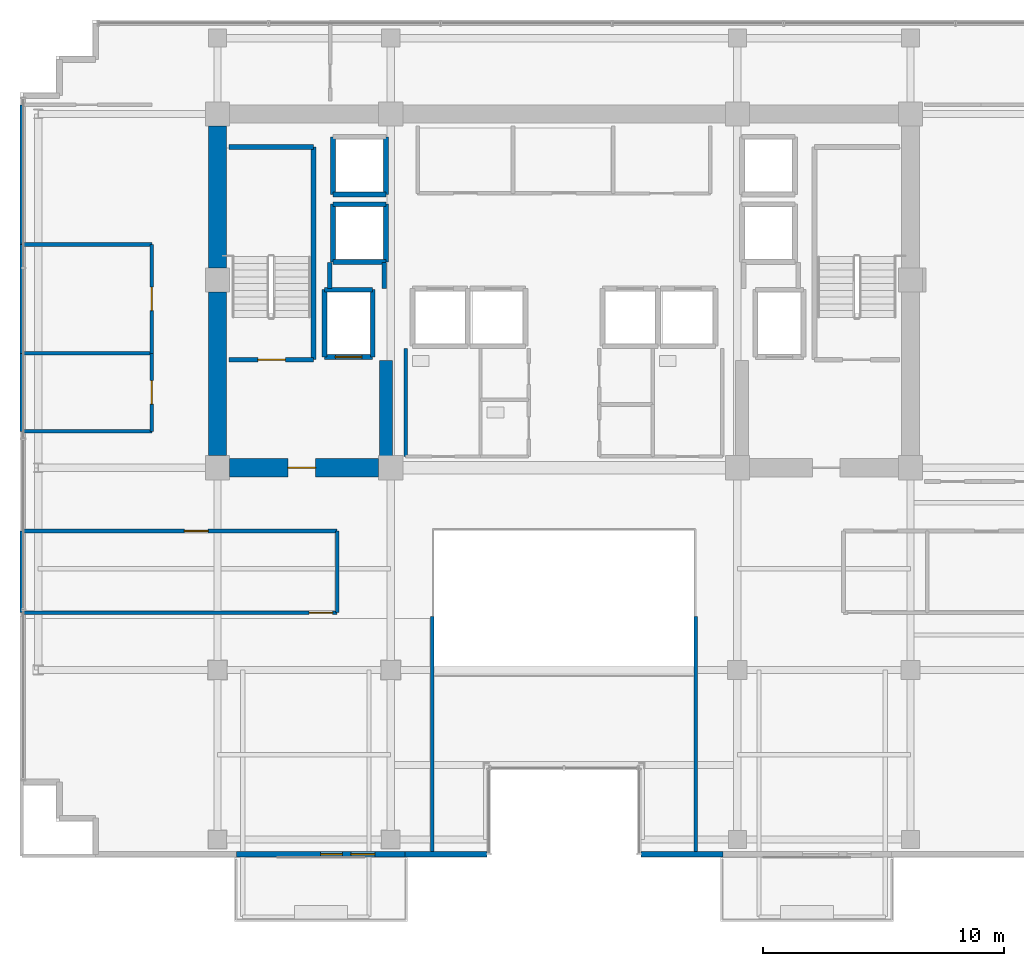
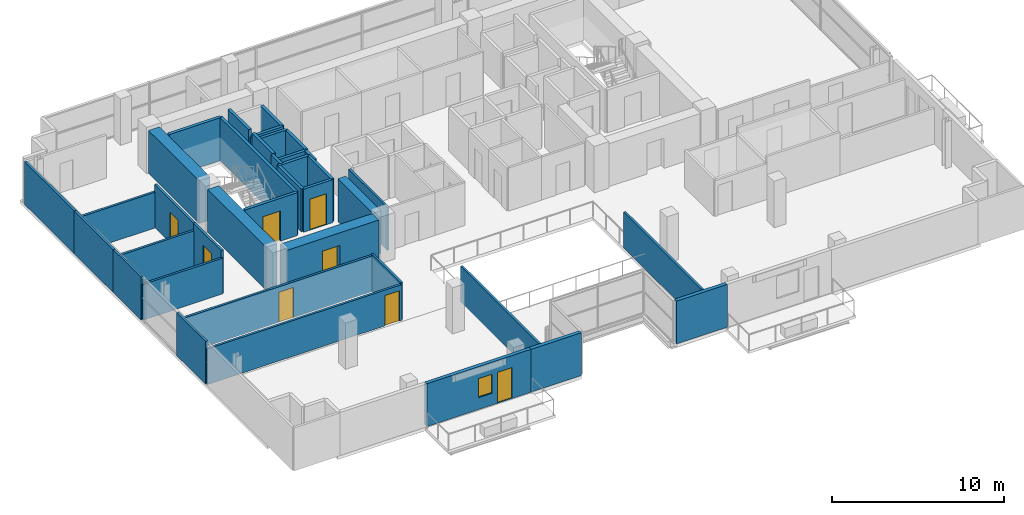
# One storey, part 15 of 22: 38 walls, 8 doors, 1 window, 9 openings.
"""IFC4 building model written with IfcOpenShell, lengths in metres."""

from ifc_helpers import new_model, si_unit, direction, frame, frame_2d, origin, place, context, subcontext, project, spatial, rectangle, extrude, source, transform, mapped, material, layer, layer_set, type_object, element, fill, save


model = new_model("IFC4")

# Units and contexts
model_context = context("Model", 3, precision=1e-05, world=origin(), true_north=direction((0.0, 1.0)))
body_context = subcontext(model_context, "Body", "Model", "MODEL_VIEW")
ifc_project = project(units=[si_unit("LENGTHUNIT", "METRE"), si_unit("AREAUNIT", "SQUARE_METRE"), si_unit("VOLUMEUNIT", "CUBIC_METRE"), si_unit("PLANEANGLEUNIT", "RADIAN"), si_unit("MASSUNIT", "GRAM", prefix="KILO")], contexts=[model_context])

# Site, building, storey
site_placement = place(None, origin())
site = spatial("IfcSite", under=ifc_project, at=site_placement, CompositionType="ELEMENT")
building_placement = place(site_placement, origin())
building = spatial("IfcBuilding", under=site, at=building_placement, Name="Zarnakvel Exchange Tower", CompositionType="ELEMENT")
storey_placement = place(building_placement, frame((0.0, 0.0, 195.699951171875)))
storey = spatial("IfcBuildingStorey", under=building, at=storey_placement, Name="L55", CompositionType="ELEMENT", Elevation=195.699951171875)

# Walls
ifc_material_1 = material(Name="Concrete C60/75", Category="concrete")
ifc_layer_1 = layer(ifc_material_1, 0.75)
ifc_layer_set_1 = layer_set([ifc_layer_1], Name="Concrete C60/75")
wall_type_1 = type_object("IfcWallType", Name="CW-C3", PredefinedType="SHEAR", material=ifc_layer_set_1)
wall_1_placement = place(storey_placement, frame((-14.39990234375, -0.699951171875, 0.0), z_axis=(0.0, 0.0, 1.0), x_axis=(0.0, 1.0, 0.0)))
element("IfcWall", 1, at=wall_1_placement, inside=storey, type_object=wall_type_1, Name="L55 Rear Core Shear Wall W1 (CW-C3)", PredefinedType="SHEAR", context=body_context, shape_type="SweptSolid", body=[
    extrude(rectangle(XDim=6.800048828125, YDim=0.75, at=frame_2d((3.39990234375, 0.0))), origin(), (0.0, 0.0, 1.0), 3.050048828125),
])
wall_2_placement = place(storey_placement, frame((-14.39990234375, 7.10009765625, 0.0), z_axis=(0.0, 0.0, 1.0), x_axis=(0.0, 1.0, 0.0)))
element("IfcWall", 2, at=wall_2_placement, inside=storey, type_object=wall_type_1, Name="L55 Rear Core Shear Wall W2 (CW-C3)", PredefinedType="SHEAR", context=body_context, shape_type="SweptSolid", body=[
    extrude(rectangle(XDim=5.89990234375, YDim=0.75, at=frame_2d((2.949951171875, 0.0))), origin(), (0.0, 0.0, 1.0), 3.050048828125),
])

# Wall, opening, door
wall_3_placement = place(storey_placement, frame((-7.699951171875, -1.199951171875, 0.0), z_axis=(0.0, 0.0, 1.0), x_axis=(-1.0, 0.0, 0.0)))
wall_3 = element("IfcWall", 3, at=wall_3_placement, inside=storey, type_object=wall_type_1, Name="L55 Rear Core Shear Wall SW (CW-C3)", PredefinedType="SHEAR", context=body_context, shape_type="SweptSolid", body=[
    extrude(rectangle(XDim=6.199951171875, YDim=0.75, at=frame_2d((3.10009765625, 0.0))), origin(), (0.0, 0.0, 1.0), 3.050048828125),
])
opening_1_placement = place(wall_3_placement, frame((2.625, 0.0, 0.0)))
opening_1 = element("IfcOpeningElement", 4, at=opening_1_placement, cuts=wall_3, Name="Opening D-L55-03", PredefinedType="OPENING", context=body_context, shape_type="SweptSolid", body=[
    extrude(rectangle(XDim=1.14990234375, YDim=2.14990234375, at=frame_2d((0.574951171875, 1.074951171875))), frame((0.0, 0.385009765625, 0.0), z_axis=(0.0, -1.0, 0.0), x_axis=(1.0, 0.0, 0.0)), (0.0, 0.0, 1.0), 0.77001953125),
])
ifc_material_2 = material(Name="Painted Galvanised Steel S355", Category="steel")
door_type_1 = type_object("IfcDoorType", Name="DT-04", OperationType="NOTDEFINED", PredefinedType="DOOR", material=ifc_material_2)
shared_shape_1 = source(origin(), body_context, "Body", "SweptSolid", [
    extrude(rectangle(XDim=1.14990234375, YDim=2.14990234375, at=frame_2d((0.574951171875, 1.074951171875))), frame((0.0, 0.02490234375, 0.0), z_axis=(0.0, -1.0, 0.0), x_axis=(1.0, 0.0, 0.0)), (0.0, 0.0, 1.0), 0.050048828125),
])
door_1_placement = place(opening_1_placement, origin())
door_1 = element("IfcDoor", 5, at=door_1_placement, inside=storey, type_object=door_type_1, Name="L55 Firefighting Lobby West Door D-L55-03", OperationType="SINGLE_SWING_RIGHT", OverallHeight=2.14990234375, OverallWidth=1.14990234375, PredefinedType="DOOR", context=body_context, shape_type="MappedRepresentation", body=[
    mapped(shared_shape_1, transform((0.0, 0.0, 0.0), x_axis=(1.0, 0.0, 0.0), y_axis=(0.0, 1.0, 0.0), z_axis=(0.0, 0.0, 1.0), scale=1.0)),
])
fill(opening_1, door_1)

# Wall
ifc_layer_2 = layer(ifc_material_1, 0.550048828125)
ifc_layer_set_2 = layer_set([ifc_layer_2], Name="Concrete C60/75")
wall_type_2 = type_object("IfcWallType", Name="CW-C4", PredefinedType="SHEAR", material=ifc_layer_set_2)
wall_4_placement = place(storey_placement, frame((-7.39990234375, -0.824951171875, 0.0), z_axis=(0.0, 0.0, 1.0), x_axis=(0.0, 1.0, 0.0)))
element("IfcWall", 6, at=wall_4_placement, inside=storey, type_object=wall_type_2, Name="L55 Rear Core Shear Wall IW (CW-C4)", PredefinedType="SHEAR", context=body_context, shape_type="SweptSolid", body=[
    extrude(rectangle(XDim=4.074951171875, YDim=0.550048828125, at=frame_2d((2.03759765625, 0.0))), origin(), (0.0, 0.0, 1.0), 3.050048828125),
])

# Wall, openings, door, window
ifc_material_3 = material(Name="Precast concrete C40/50", Category="concrete")
ifc_layer_3 = layer(ifc_material_3, 0.239990234375)
ifc_layer_set_3 = layer_set([ifc_layer_3], Name="Precast concrete C40/50")
wall_type_3 = type_object("IfcWallType", Name="EW-02", PredefinedType="SOLIDWALL", material=ifc_layer_set_3)
wall_5_placement = place(storey_placement, frame((-6.60009765625, -17.260009765625, 0.0), z_axis=(0.0, 0.0, 1.0), x_axis=(-1.0, 0.0, 0.0)))
wall_5 = element("IfcWall", 7, at=wall_5_placement, inside=storey, type_object=wall_type_3, Name="L55 Exterior Precast Spandrel Wall EW-BAL-L55-SW (EW-02)", PredefinedType="SOLIDWALL", context=body_context, shape_type="SweptSolid", body=[
    extrude(rectangle(XDim=7.0, YDim=0.239990234375, at=frame_2d((3.5, 0.0))), origin(), (0.0, 0.0, 1.0), 3.050048828125),
])
opening_2_placement = place(wall_5_placement, frame((1.260009765625, 0.0, 0.0)))
opening_2 = element("IfcOpeningElement", 8, at=opening_2_placement, cuts=wall_5, Name="Opening BD-L55-01", PredefinedType="OPENING", context=body_context, shape_type="SweptSolid", body=[
    extrude(rectangle(XDim=1.0, YDim=2.199951171875, at=frame_2d((0.5, 1.10009765625))), frame((0.0, 0.1298828125, 0.0), z_axis=(0.0, -1.0, 0.0), x_axis=(1.0, 0.0, 0.0)), (0.0, 0.0, 1.0), 0.260009765625),
])
opening_3_placement = place(wall_5_placement, frame((2.610107421875, 0.0, 0.85009765625)))
opening_3 = element("IfcOpeningElement", 9, at=opening_3_placement, cuts=wall_5, Name="Opening WN-06", PredefinedType="OPENING", context=body_context, shape_type="SweptSolid", body=[
    extrude(rectangle(XDim=0.89990234375, YDim=1.35009765625, at=frame_2d((0.449951171875, 0.675048828125))), frame((0.0, 0.1298828125, 0.0), z_axis=(0.0, -1.0, 0.0), x_axis=(1.0, 0.0, 0.0)), (0.0, 0.0, 1.0), 0.260009765625),
])
ifc_material_4 = material(Name="Architectural Bronze Anodised Aluminium", Category="aluminium")
door_type_2 = type_object("IfcDoorType", Name="DT-09", OperationType="NOTDEFINED", PredefinedType="DOOR", material=ifc_material_4)
shared_shape_2 = source(origin(), body_context, "Body", "SweptSolid", [
    extrude(rectangle(XDim=1.0, YDim=2.199951171875, at=frame_2d((0.5, 1.10009765625))), frame((0.0, 0.02490234375, 0.0), z_axis=(0.0, -1.0, 0.0), x_axis=(1.0, 0.0, 0.0)), (0.0, 0.0, 1.0), 0.050048828125),
])
door_2_placement = place(opening_2_placement, origin())
door_2 = element("IfcDoor", 10, at=door_2_placement, inside=storey, type_object=door_type_2, Name="L55 Planted Loggia Balcony Door BD-L55-01", OperationType="SINGLE_SWING_LEFT", OverallHeight=2.199951171875, OverallWidth=1.0, PredefinedType="DOOR", context=body_context, shape_type="MappedRepresentation", body=[
    mapped(shared_shape_2, transform((0.0, 0.0, 0.0), x_axis=(1.0, 0.0, 0.0), y_axis=(0.0, 1.0, 0.0), z_axis=(0.0, 0.0, 1.0), scale=1.0)),
])
fill(opening_2, door_2)
ifc_material_5 = material(Name="Double Low-E Laminated Vision Glass", Category="glass")
window_type = type_object("IfcWindowType", Name="WN-06", PartitioningType="SINGLE_PANEL", PredefinedType="WINDOW", material=ifc_material_5)
shared_shape_3 = source(origin(), body_context, "Body", "SweptSolid", [
    extrude(rectangle(XDim=0.89990234375, YDim=1.35009765625, at=frame_2d((0.449951171875, 0.675048828125))), frame((0.0, 0.030029296875, 0.0), z_axis=(0.0, -1.0, 0.0), x_axis=(1.0, 0.0, 0.0)), (0.0, 0.0, 1.0), 0.06005859375),
])
window_placement = place(opening_3_placement, origin())
window = element("IfcWindow", 11, at=window_placement, inside=storey, type_object=window_type, Name="L55 Loggia Daylight Window (WN-06)", OverallHeight=1.35009765625, OverallWidth=0.89990234375, PartitioningType="SINGLE_PANEL", PredefinedType="WINDOW", context=body_context, shape_type="MappedRepresentation", body=[
    mapped(shared_shape_3, transform((0.0, 0.0, 0.0), x_axis=(1.0, 0.0, 0.0), y_axis=(0.0, 1.0, 0.0), z_axis=(0.0, 0.0, 1.0), scale=1.0)),
])
fill(opening_3, window)

# Walls
for number, where, z_axis, x_axis, name in (
    (12, (3.199951171875, -17.260009765625, 0.0), (0.0, 0.0, 1.0), (1.0, 0.0, 0.0), "L55 Exterior Precast Spandrel Wall EWC-L55-16 (EW-02)"),
    (13, (-6.60009765625, -17.260009765625, 0.0), (0.0, 0.0, 1.0), (1.0, 0.0, 0.0), "L55 Exterior Precast Spandrel Wall EWC-L55-21 (EW-02)"),
):
    element("IfcWall", number, at=place(storey_placement, frame(where, z_axis=z_axis, x_axis=x_axis)), inside=storey, type_object=wall_type_3, Name=name, PredefinedType="SOLIDWALL", context=body_context, shape_type="SweptSolid", body=[
        extrude(rectangle(XDim=3.400146484375, YDim=0.239990234375, at=frame_2d((1.7001953125, 0.0))), origin(), (0.0, 0.0, 1.0), 3.050048828125),
    ])

# Wall, opening, door
ifc_material_6 = material(Name="Fire-Rated Gypsum Stud Partition", Category="gypsum")
ifc_layer_4 = layer(ifc_material_6, 0.14990234375)
ifc_layer_set_4 = layer_set([ifc_layer_4], Name="Fire-Rated Gypsum Stud Partition")
wall_type_4 = type_object("IfcWallType", Name="PT-01", PredefinedType="PARTITIONING", material=ifc_layer_set_4)
wall_6_placement = place(storey_placement, frame((-9.429931640625, -7.219970703125, 0.0), z_axis=(0.0, 0.0, 1.0), x_axis=(-1.0, 0.0, 0.0)))
wall_6 = element("IfcWall", 14, at=wall_6_placement, inside=storey, type_object=wall_type_4, Name="L55 Partition Wall PWALL-L55-033 (PT-01)", PredefinedType="PARTITIONING", context=body_context, shape_type="SweptSolid", body=[
    extrude(rectangle(XDim=13.10009765625, YDim=0.14990234375, at=frame_2d((6.550048828125, 0.0))), origin(), (0.0, 0.0, 1.0), 2.5400390625),
])
opening_4_placement = place(wall_6_placement, frame((0.179931640625, 0.0, 0.0)))
opening_4 = element("IfcOpeningElement", 15, at=opening_4_placement, cuts=wall_6, Name="Opening D-L55-15", PredefinedType="OPENING", context=body_context, shape_type="SweptSolid", body=[
    extrude(rectangle(XDim=0.97998046875, YDim=2.14990234375, at=frame_2d((0.489990234375, 1.074951171875))), frame((0.0, 0.0849609375, 0.0), z_axis=(0.0, -1.0, 0.0), x_axis=(1.0, 0.0, 0.0)), (0.0, 0.0, 1.0), 0.169921875),
])
ifc_material_7 = material(Name="Timber Acoustic Veneer", Category="wood")
door_type_3 = type_object("IfcDoorType", Name="DT-05", OperationType="NOTDEFINED", PredefinedType="DOOR", material=ifc_material_7)
shared_shape_4 = source(origin(), body_context, "Body", "SweptSolid", [
    extrude(rectangle(XDim=0.97998046875, YDim=2.14990234375, at=frame_2d((0.489990234375, 1.074951171875))), frame((0.0, 0.02490234375, 0.0), z_axis=(0.0, -1.0, 0.0), x_axis=(1.0, 0.0, 0.0)), (0.0, 0.0, 1.0), 0.050048828125),
])
door_3_placement = place(opening_4_placement, origin())
door_3 = element("IfcDoor", 16, at=door_3_placement, inside=storey, type_object=door_type_3, Name="L55 Sovereign Wealth Office Door D-L55-15", OperationType="SINGLE_SWING_RIGHT", OverallHeight=2.14990234375, OverallWidth=0.97998046875, PredefinedType="DOOR", context=body_context, shape_type="MappedRepresentation", body=[
    mapped(shared_shape_4, transform((0.0, 0.0, 0.0), x_axis=(1.0, 0.0, 0.0), y_axis=(0.0, 1.0, 0.0), z_axis=(0.0, 0.0, 1.0), scale=1.0)),
])
fill(opening_4, door_3)

wall_7_placement = place(storey_placement, frame((-22.530029296875, -3.830078125, 0.0), z_axis=(0.0, 0.0, 1.0), x_axis=(1.0, 0.0, 0.0)))
wall_7 = element("IfcWall", 17, at=wall_7_placement, inside=storey, type_object=wall_type_4, Name="L55 Partition Wall PWALL-L55-034 (PT-01)", PredefinedType="PARTITIONING", context=body_context, shape_type="SweptSolid", body=[
    extrude(rectangle(XDim=13.10009765625, YDim=0.14990234375, at=frame_2d((6.550048828125, 0.0))), origin(), (0.0, 0.0, 1.0), 2.5400390625),
])
opening_5_placement = place(wall_7_placement, frame((6.760009765625, 0.0, 0.0)))
opening_5 = element("IfcOpeningElement", 18, at=opening_5_placement, cuts=wall_7, Name="Opening D-L55-14", PredefinedType="OPENING", context=body_context, shape_type="SweptSolid", body=[
    extrude(rectangle(XDim=0.97998046875, YDim=2.14990234375, at=frame_2d((0.489990234375, 1.074951171875))), frame((0.0, 0.0849609375, 0.0), z_axis=(0.0, -1.0, 0.0), x_axis=(1.0, 0.0, 0.0)), (0.0, 0.0, 1.0), 0.169921875),
])
door_4_placement = place(opening_5_placement, origin())
door_4 = element("IfcDoor", 19, at=door_4_placement, inside=storey, type_object=door_type_3, Name="L55 Sovereign Wealth Office Door D-L55-14", OperationType="SINGLE_SWING_LEFT", OverallHeight=2.14990234375, OverallWidth=0.97998046875, PredefinedType="DOOR", context=body_context, shape_type="MappedRepresentation", body=[
    mapped(shared_shape_4, transform((0.0, 0.0, 0.0), x_axis=(1.0, 0.0, 0.0), y_axis=(0.0, 1.0, 0.0), z_axis=(0.0, 0.0, 1.0), scale=1.0)),
])
fill(opening_5, door_4)

# Walls
wall_8_placement = place(storey_placement, frame((-22.530029296875, -7.219970703125, 0.0), z_axis=(0.0, 0.0, 1.0), x_axis=(0.0, 1.0, 0.0)))
element("IfcWall", 20, at=wall_8_placement, inside=storey, type_object=wall_type_4, Name="L55 Partition Wall PWALL-L55-035 (PT-01)", PredefinedType="PARTITIONING", context=body_context, shape_type="SweptSolid", body=[
    extrude(rectangle(XDim=3.389892578125, YDim=0.14990234375, at=frame_2d((1.69482421875, 0.0))), origin(), (0.0, 0.0, 1.0), 3.050048828125),
])
wall_9_placement = place(storey_placement, frame((-9.429931640625, -3.830078125, 0.0), z_axis=(0.0, 0.0, 1.0), x_axis=(0.0, -1.0, 0.0)))
element("IfcWall", 21, at=wall_9_placement, inside=storey, type_object=wall_type_4, Name="L55 Partition Wall PWALL-L55-036 (PT-01)", PredefinedType="PARTITIONING", context=body_context, shape_type="SweptSolid", body=[
    extrude(rectangle(XDim=3.389892578125, YDim=0.14990234375, at=frame_2d((1.69482421875, 0.0))), origin(), (0.0, 0.0, 1.0), 2.64013671875),
])
for number, where, z_axis, x_axis, name in (
    (22, (-5.47998046875, -7.3798828125, 0.0), (0.0, 0.0, 1.0), (0.0, -1.0, 0.0), "L55 Partition Wall PWALL-L55-039 (PT-01)"),
    (23, (5.47998046875, -17.330078125, 0.0), (0.0, 0.0, 1.0), (0.0, 1.0, 0.0), "L55 Partition Wall PWALL-L55-051 (PT-01)"),
):
    element("IfcWall", number, at=place(storey_placement, frame(where, z_axis=z_axis, x_axis=x_axis)), inside=storey, type_object=wall_type_4, Name=name, PredefinedType="PARTITIONING", context=body_context, shape_type="SweptSolid", body=[
        extrude(rectangle(XDim=9.9501953125, YDim=0.14990234375, at=frame_2d((4.97509765625, 0.0))), origin(), (0.0, 0.0, 1.0), 2.5400390625),
    ])
for number, where, z_axis, x_axis, name in (
    (24, (-17.1298828125, 0.314453125, 0.0), (0.0, 0.0, 1.0), (-1.0, 0.0, 0.0), "L55 Partition Wall PWALL-L55-053 (PT-01)"),
    (25, (-22.530029296875, 3.553466796875, 0.0), (0.0, 0.0, 1.0), (1.0, 0.0, 0.0), "L55 Partition Wall PWALL-L55-054 (PT-01)"),
):
    element("IfcWall", number, at=place(storey_placement, frame(where, z_axis=z_axis, x_axis=x_axis)), inside=storey, type_object=wall_type_4, Name=name, PredefinedType="PARTITIONING", context=body_context, shape_type="SweptSolid", body=[
        extrude(rectangle(XDim=5.400146484375, YDim=0.14990234375, at=frame_2d((2.7001953125, 0.0))), origin(), (0.0, 0.0, 1.0), 2.5400390625),
    ])
wall_10_placement = place(storey_placement, frame((-22.530029296875, 0.314453125, 0.0), z_axis=(0.0, 0.0, 1.0), x_axis=(0.0, 1.0, 0.0)))
element("IfcWall", 26, at=wall_10_placement, inside=storey, type_object=wall_type_4, Name="L55 Partition Wall PWALL-L55-055 (PT-01)", PredefinedType="PARTITIONING", context=body_context, shape_type="SweptSolid", body=[
    extrude(rectangle(XDim=3.239013671875, YDim=0.14990234375, at=frame_2d((1.61962890625, 0.0))), origin(), (0.0, 0.0, 1.0), 3.050048828125),
])

# Wall, opening, door
wall_11_placement = place(storey_placement, frame((-17.1298828125, 3.553466796875, 0.0), z_axis=(0.0, 0.0, 1.0), x_axis=(0.0, -1.0, 0.0)))
wall_11 = element("IfcWall", 27, at=wall_11_placement, inside=storey, type_object=wall_type_4, Name="L55 Partition Wall PWALL-L55-056 (PT-01)", PredefinedType="PARTITIONING", context=body_context, shape_type="SweptSolid", body=[
    extrude(rectangle(XDim=3.239013671875, YDim=0.14990234375, at=frame_2d((1.61962890625, 0.0))), origin(), (0.0, 0.0, 1.0), 3.050048828125),
])
opening_6_placement = place(wall_11_placement, frame((1.12939453125, 0.0, 0.0)))
opening_6 = element("IfcOpeningElement", 28, at=opening_6_placement, cuts=wall_11, Name="Opening D-L55-20", PredefinedType="OPENING", context=body_context, shape_type="SweptSolid", body=[
    extrude(rectangle(XDim=0.97998046875, YDim=2.14990234375, at=frame_2d((0.489990234375, 1.074951171875))), frame((0.0, 0.0849609375, 0.0), z_axis=(0.0, -1.0, 0.0), x_axis=(1.0, 0.0, 0.0)), (0.0, 0.0, 1.0), 0.169921875),
])
door_5_placement = place(opening_6_placement, origin())
door_5 = element("IfcDoor", 29, at=door_5_placement, inside=storey, type_object=door_type_3, Name="L55 Executive Pantry Door D-L55-20", OperationType="SINGLE_SWING_LEFT", OverallHeight=2.14990234375, OverallWidth=0.97998046875, PredefinedType="DOOR", context=body_context, shape_type="MappedRepresentation", body=[
    mapped(shared_shape_4, transform((0.0, 0.0, 0.0), x_axis=(1.0, 0.0, 0.0), y_axis=(0.0, 1.0, 0.0), z_axis=(0.0, 0.0, 1.0), scale=1.0)),
])
fill(opening_6, door_5)

# Walls
wall_12_placement = place(storey_placement, frame((-22.530029296875, 8.0751953125, 0.0), z_axis=(0.0, 0.0, 1.0), x_axis=(1.0, 0.0, 0.0)))
element("IfcWall", 30, at=wall_12_placement, inside=storey, type_object=wall_type_4, Name="L55 Partition Wall PWALL-L55-057 (PT-01)", PredefinedType="PARTITIONING", context=body_context, shape_type="SweptSolid", body=[
    extrude(rectangle(XDim=5.400146484375, YDim=0.14990234375, at=frame_2d((2.7001953125, 0.0))), origin(), (0.0, 0.0, 1.0), 2.5400390625),
])
wall_13_placement = place(storey_placement, frame((-22.530029296875, 3.553466796875, 0.0), z_axis=(0.0, 0.0, 1.0), x_axis=(0.0, 1.0, 0.0)))
element("IfcWall", 31, at=wall_13_placement, inside=storey, type_object=wall_type_4, Name="L55 Partition Wall PWALL-L55-058 (PT-01)", PredefinedType="PARTITIONING", context=body_context, shape_type="SweptSolid", body=[
    extrude(rectangle(XDim=4.521728515625, YDim=0.14990234375, at=frame_2d((2.2607421875, 0.0))), origin(), (0.0, 0.0, 1.0), 3.050048828125),
])

# Wall, opening, door
wall_14_placement = place(storey_placement, frame((-17.1298828125, 8.0751953125, 0.0), z_axis=(0.0, 0.0, 1.0), x_axis=(0.0, -1.0, 0.0)))
wall_14 = element("IfcWall", 32, at=wall_14_placement, inside=storey, type_object=wall_type_4, Name="L55 Partition Wall PWALL-L55-059 (PT-01)", PredefinedType="PARTITIONING", context=body_context, shape_type="SweptSolid", body=[
    extrude(rectangle(XDim=4.521728515625, YDim=0.14990234375, at=frame_2d((2.2607421875, 0.0))), origin(), (0.0, 0.0, 1.0), 3.050048828125),
])
opening_7_placement = place(wall_14_placement, frame((1.771240234375, 0.0, 0.0)))
opening_7 = element("IfcOpeningElement", 33, at=opening_7_placement, cuts=wall_14, Name="Opening D-L55-21", PredefinedType="OPENING", context=body_context, shape_type="SweptSolid", body=[
    extrude(rectangle(XDim=0.97998046875, YDim=2.14990234375, at=frame_2d((0.489990234375, 1.074951171875))), frame((0.0, 0.0849609375, 0.0), z_axis=(0.0, -1.0, 0.0), x_axis=(1.0, 0.0, 0.0)), (0.0, 0.0, 1.0), 0.169921875),
])
door_6_placement = place(opening_7_placement, origin())
door_6 = element("IfcDoor", 34, at=door_6_placement, inside=storey, type_object=door_type_3, Name="L55 Legal Records Office Door D-L55-21", OperationType="SINGLE_SWING_RIGHT", OverallHeight=2.14990234375, OverallWidth=0.97998046875, PredefinedType="DOOR", context=body_context, shape_type="MappedRepresentation", body=[
    mapped(shared_shape_4, transform((0.0, 0.0, 0.0), x_axis=(1.0, 0.0, 0.0), y_axis=(0.0, 1.0, 0.0), z_axis=(0.0, 0.0, 1.0), scale=1.0)),
])
fill(opening_7, door_6)

# Walls
wall_15_placement = place(storey_placement, frame((-22.530029296875, 8.0751953125, 0.0), z_axis=(0.0, 0.0, 1.0), x_axis=(0.0, 1.0, 0.0)))
element("IfcWall", 35, at=wall_15_placement, inside=storey, type_object=wall_type_4, Name="L55 Partition Wall PWALL-L55-061 (PT-01)", PredefinedType="PARTITIONING", context=body_context, shape_type="SweptSolid", body=[
    extrude(rectangle(XDim=5.8046875, YDim=0.14990234375, at=frame_2d((2.90234375, 0.0))), origin(), (0.0, 0.0, 1.0), 3.050048828125),
])
ifc_layer_5 = layer(ifc_material_6, 0.179931640625)
ifc_layer_set_5 = layer_set([ifc_layer_5], Name="Fire-Rated Gypsum Stud Partition")
wall_type_5 = type_object("IfcWallType", Name="PT-02", PredefinedType="PARTITIONING", material=ifc_layer_set_5)
wall_16_placement = place(storey_placement, frame((-9.72998046875, 6.239990234375, 0.0), z_axis=(0.0, 0.0, 1.0), x_axis=(0.0, 1.0, 0.0)))
element("IfcWall", 36, at=wall_16_placement, inside=storey, type_object=wall_type_5, Name="L55 Partition Wall PWALL-L55-007 (PT-02)", PredefinedType="PARTITIONING", context=body_context, shape_type="SweptSolid", body=[
    extrude(rectangle(XDim=1.090087890625, YDim=0.179931640625, at=frame_2d((0.544921875, 0.0))), origin(), (0.0, 0.0, 1.0), 3.050048828125),
])
wall_17_placement = place(storey_placement, frame((-7.469970703125, 7.330078125, 0.0), z_axis=(0.0, 0.0, 1.0), x_axis=(0.0, -1.0, 0.0)))
element("IfcWall", 37, at=wall_17_placement, inside=storey, type_object=wall_type_5, Name="L55 Partition Wall PWALL-L55-008 (PT-02)", PredefinedType="PARTITIONING", context=body_context, shape_type="SweptSolid", body=[
    extrude(rectangle(XDim=1.090087890625, YDim=0.179931640625, at=frame_2d((0.544921875, 0.0))), origin(), (0.0, 0.0, 1.0), 2.5400390625),
])
ifc_material_8 = material(Name="Moisture-Resistant Tile-Faced Partition", Category="gypsum")
ifc_layer_6 = layer(ifc_material_8, 0.135009765625)
ifc_layer_set_6 = layer_set([ifc_layer_6], Name="Moisture-Resistant Tile-Faced Partition")
wall_type_6 = type_object("IfcWallType", Name="PT-03", PredefinedType="PARTITIONING", material=ifc_layer_set_6)
wall_18_placement = place(storey_placement, frame((-6.580078125, -0.72998046875, 0.0), z_axis=(0.0, 0.0, 1.0), x_axis=(0.0, 1.0, 0.0)))
element("IfcWall", 38, at=wall_18_placement, inside=storey, type_object=wall_type_6, Name="L55 Partition Wall PWALL-L55-019 (PT-03)", PredefinedType="PARTITIONING", context=body_context, shape_type="SweptSolid", body=[
    extrude(rectangle(XDim=4.489990234375, YDim=0.135009765625, at=frame_2d((2.2451171875, 0.0))), origin(), (0.0, 0.0, 1.0), 3.050048828125),
])

# Wall, opening, door
ifc_material_9 = material(Name="Concrete C40/50", Category="concrete")
ifc_layer_7 = layer(ifc_material_9, 0.199951171875)
ifc_layer_set_7 = layer_set([ifc_layer_7], Name="Concrete C40/50")
wall_type_7 = type_object("IfcWallType", Name="SW-01", PredefinedType="SOLIDWALL", material=ifc_layer_set_7)
wall_19_placement = place(storey_placement, frame((-7.949951171875, 3.39990234375, 0.0), z_axis=(0.0, 0.0, 1.0), x_axis=(-1.0, 0.0, 0.0)))
wall_19 = element("IfcWall", 39, at=wall_19_placement, inside=storey, type_object=wall_type_7, Name="L55 FL-01 Hoistway Wall South", PredefinedType="SOLIDWALL", context=body_context, shape_type="SweptSolid", body=[
    extrude(rectangle(XDim=2.0, YDim=0.199951171875, at=frame_2d((1.0, 0.0))), origin(), (0.0, 0.0, 1.0), 3.050048828125),
])
opening_8_placement = place(wall_19_placement, frame((0.449951171875, 0.0, 0.0)))
opening_8 = element("IfcOpeningElement", 40, at=opening_8_placement, cuts=wall_19, Name="Opening LD-FL-01-L55", PredefinedType="OPENING", context=body_context, shape_type="SweptSolid", body=[
    extrude(rectangle(XDim=1.10009765625, YDim=2.199951171875, at=frame_2d((0.550048828125, 1.10009765625))), frame((0.0, 0.10986328125, 0.0), z_axis=(0.0, -1.0, 0.0), x_axis=(1.0, 0.0, 0.0)), (0.0, 0.0, 1.0), 0.219970703125),
])
ifc_material_10 = material(Name="Brushed Stainless Steel", Category="steel")
door_type_4 = type_object("IfcDoorType", Name="LDT-01", OperationType="NOTDEFINED", PredefinedType="DOOR", material=ifc_material_10)
shared_shape_5 = source(origin(), body_context, "Body", "SweptSolid", [
    extrude(rectangle(XDim=1.10009765625, YDim=2.199951171875, at=frame_2d((0.550048828125, 1.10009765625))), frame((0.0, 0.02490234375, 0.0), z_axis=(0.0, -1.0, 0.0), x_axis=(1.0, 0.0, 0.0)), (0.0, 0.0, 1.0), 0.050048828125),
])
door_7_placement = place(opening_8_placement, origin())
door_7 = element("IfcDoor", 41, at=door_7_placement, inside=storey, type_object=door_type_4, Name="L55 FL-01 Lift Landing Door LD-FL-01-L55", OperationType="DOUBLE_DOOR_SLIDING", OverallHeight=2.199951171875, OverallWidth=1.10009765625, PredefinedType="DOOR", context=body_context, shape_type="MappedRepresentation", body=[
    mapped(shared_shape_5, transform((0.0, 0.0, 0.0), x_axis=(1.0, 0.0, 0.0), y_axis=(0.0, 1.0, 0.0), z_axis=(0.0, 0.0, 1.0), scale=1.0)),
])
fill(opening_8, door_7)

# Walls
wall_20_placement = place(storey_placement, frame((-9.949951171875, 6.199951171875, 0.0), z_axis=(0.0, 0.0, 1.0), x_axis=(1.0, 0.0, 0.0)))
element("IfcWall", 42, at=wall_20_placement, inside=storey, type_object=wall_type_7, Name="L55 FL-01 Hoistway Wall North", PredefinedType="SOLIDWALL", context=body_context, shape_type="SweptSolid", body=[
    extrude(rectangle(XDim=2.0, YDim=0.199951171875, at=frame_2d((1.0, 0.0))), origin(), (0.0, 0.0, 1.0), 3.050048828125),
])
for number, where, z_axis, x_axis, name in (
    (43, (-9.949951171875, 3.39990234375, 0.0), (0.0, 0.0, 1.0), (0.0, 1.0, 0.0), "L55 FL-01 Hoistway Wall West"),
    (44, (-7.949951171875, 6.199951171875, 0.0), (0.0, 0.0, 1.0), (0.0, -1.0, 0.0), "L55 FL-01 Hoistway Wall East"),
):
    element("IfcWall", number, at=place(storey_placement, frame(where, z_axis=z_axis, x_axis=x_axis)), inside=storey, type_object=wall_type_7, Name=name, PredefinedType="SOLIDWALL", context=body_context, shape_type="SweptSolid", body=[
        extrude(rectangle(XDim=2.800048828125, YDim=0.199951171875, at=frame_2d((1.39990234375, 0.0))), origin(), (0.0, 0.0, 1.0), 3.050048828125),
    ])
for number, where, z_axis, x_axis, name in (
    (45, (-7.39990234375, 7.35009765625, 0.0), (0.0, 0.0, 1.0), (-1.0, 0.0, 0.0), "L55 PL-09 Hoistway Wall South"),
    (46, (-9.60009765625, 9.75, 0.0), (0.0, 0.0, 1.0), (1.0, 0.0, 0.0), "L55 PL-09 Hoistway Wall North"),
):
    element("IfcWall", number, at=place(storey_placement, frame(where, z_axis=z_axis, x_axis=x_axis)), inside=storey, type_object=wall_type_7, Name=name, PredefinedType="SOLIDWALL", context=body_context, shape_type="SweptSolid", body=[
        extrude(rectangle(XDim=2.2001953125, YDim=0.199951171875, at=frame_2d((1.10009765625, 0.0))), origin(), (0.0, 0.0, 1.0), 2.5400390625),
    ])
wall_21_placement = place(storey_placement, frame((-9.60009765625, 7.35009765625, 0.0), z_axis=(0.0, 0.0, 1.0), x_axis=(0.0, 1.0, 0.0)))
element("IfcWall", 47, at=wall_21_placement, inside=storey, type_object=wall_type_7, Name="L55 PL-09 Hoistway Wall West", PredefinedType="SOLIDWALL", context=body_context, shape_type="SweptSolid", body=[
    extrude(rectangle(XDim=2.39990234375, YDim=0.199951171875, at=frame_2d((1.199951171875, 0.0))), origin(), (0.0, 0.0, 1.0), 3.050048828125),
])
wall_22_placement = place(storey_placement, frame((-7.39990234375, 9.75, 0.0), z_axis=(0.0, 0.0, 1.0), x_axis=(0.0, -1.0, 0.0)))
element("IfcWall", 48, at=wall_22_placement, inside=storey, type_object=wall_type_7, Name="L55 PL-09 Hoistway Wall East", PredefinedType="SOLIDWALL", context=body_context, shape_type="SweptSolid", body=[
    extrude(rectangle(XDim=2.39990234375, YDim=0.199951171875, at=frame_2d((1.199951171875, 0.0))), origin(), (0.0, 0.0, 1.0), 2.5400390625),
])
wall_23_placement = place(storey_placement, frame((-7.39990234375, 10.14990234375, 0.0), z_axis=(0.0, 0.0, 1.0), x_axis=(-1.0, 0.0, 0.0)))
element("IfcWall", 49, at=wall_23_placement, inside=storey, type_object=wall_type_7, Name="L55 PL-10 Hoistway Wall South", PredefinedType="SOLIDWALL", context=body_context, shape_type="SweptSolid", body=[
    extrude(rectangle(XDim=2.2001953125, YDim=0.199951171875, at=frame_2d((1.10009765625, 0.0))), origin(), (0.0, 0.0, 1.0), 2.5400390625),
])
wall_24_placement = place(storey_placement, frame((-9.60009765625, 10.14990234375, 0.0), z_axis=(0.0, 0.0, 1.0), x_axis=(0.0, 1.0, 0.0)))
element("IfcWall", 50, at=wall_24_placement, inside=storey, type_object=wall_type_7, Name="L55 PL-10 Hoistway Wall West", PredefinedType="SOLIDWALL", context=body_context, shape_type="SweptSolid", body=[
    extrude(rectangle(XDim=2.400146484375, YDim=0.199951171875, at=frame_2d((1.2001953125, 0.0))), origin(), (0.0, 0.0, 1.0), 3.050048828125),
])
wall_25_placement = place(storey_placement, frame((-7.39990234375, 12.550048828125, 0.0), z_axis=(0.0, 0.0, 1.0), x_axis=(0.0, -1.0, 0.0)))
element("IfcWall", 51, at=wall_25_placement, inside=storey, type_object=wall_type_7, Name="L55 PL-10 Hoistway Wall East", PredefinedType="SOLIDWALL", context=body_context, shape_type="SweptSolid", body=[
    extrude(rectangle(XDim=2.400146484375, YDim=0.199951171875, at=frame_2d((1.2001953125, 0.0))), origin(), (0.0, 0.0, 1.0), 2.5400390625),
])

# Wall, opening, door
ifc_layer_8 = layer(ifc_material_9, 0.199951171875)
ifc_layer_set_8 = layer_set([ifc_layer_8], Name="Concrete C40/50")
wall_type_8 = type_object("IfcWallType", Name="SW-02", PredefinedType="SOLIDWALL", material=ifc_layer_set_8)
wall_26_placement = place(storey_placement, frame((-10.409912109375, 3.2900390625, 0.0), z_axis=(0.0, 0.0, 1.0), x_axis=(-1.0, 0.0, 0.0)))
wall_26 = element("IfcWall", 52, at=wall_26_placement, inside=storey, type_object=wall_type_8, Name="L55 Stairwell Core Wall PWALL-L55-001 (SW-02)", PredefinedType="SOLIDWALL", context=body_context, shape_type="SweptSolid", body=[
    extrude(rectangle(XDim=3.52001953125, YDim=0.199951171875, at=frame_2d((1.760009765625, 0.0))), origin(), (0.0, 0.0, 1.0), 3.050048828125),
])
opening_9_placement = place(wall_26_placement, frame((1.1650390625, 0.0, 0.0)))
opening_9 = element("IfcOpeningElement", 53, at=opening_9_placement, cuts=wall_26, Name="Opening D-L55-01", PredefinedType="OPENING", context=body_context, shape_type="SweptSolid", body=[
    extrude(rectangle(XDim=1.14990234375, YDim=2.14990234375, at=frame_2d((0.574951171875, 1.074951171875))), frame((0.0, 0.10986328125, 0.0), z_axis=(0.0, -1.0, 0.0), x_axis=(1.0, 0.0, 0.0)), (0.0, 0.0, 1.0), 0.219970703125),
])
door_8_placement = place(opening_9_placement, origin())
door_8 = element("IfcDoor", 54, at=door_8_placement, inside=storey, type_object=door_type_1, Name="L55 Stairwell ST-01 Door D-L55-01", OperationType="SINGLE_SWING_RIGHT", OverallHeight=2.14990234375, OverallWidth=1.14990234375, PredefinedType="DOOR", context=body_context, shape_type="MappedRepresentation", body=[
    mapped(shared_shape_1, transform((0.0, 0.0, 0.0), x_axis=(1.0, 0.0, 0.0), y_axis=(0.0, 1.0, 0.0), z_axis=(0.0, 0.0, 1.0), scale=1.0)),
])
fill(opening_9, door_8)

# Walls
wall_27_placement = place(storey_placement, frame((-13.929931640625, 12.1298828125, 0.0), z_axis=(0.0, 0.0, 1.0), x_axis=(1.0, 0.0, 0.0)))
element("IfcWall", 55, at=wall_27_placement, inside=storey, type_object=wall_type_8, Name="L55 Stairwell Core Wall PWALL-L55-002 (SW-02)", PredefinedType="SOLIDWALL", context=body_context, shape_type="SweptSolid", body=[
    extrude(rectangle(XDim=3.52001953125, YDim=0.199951171875, at=frame_2d((1.760009765625, 0.0))), origin(), (0.0, 0.0, 1.0), 3.050048828125),
])
wall_28_placement = place(storey_placement, frame((-10.409912109375, 12.1298828125, 0.0), z_axis=(0.0, 0.0, 1.0), x_axis=(0.0, -1.0, 0.0)))
element("IfcWall", 56, at=wall_28_placement, inside=storey, type_object=wall_type_8, Name="L55 Stairwell Core Wall PWALL-L55-003 (SW-02)", PredefinedType="SOLIDWALL", context=body_context, shape_type="SweptSolid", body=[
    extrude(rectangle(XDim=8.83984375, YDim=0.199951171875, at=frame_2d((4.419921875, 0.0))), origin(), (0.0, 0.0, 1.0), 3.050048828125),
])

save(model, "model.ifc")
